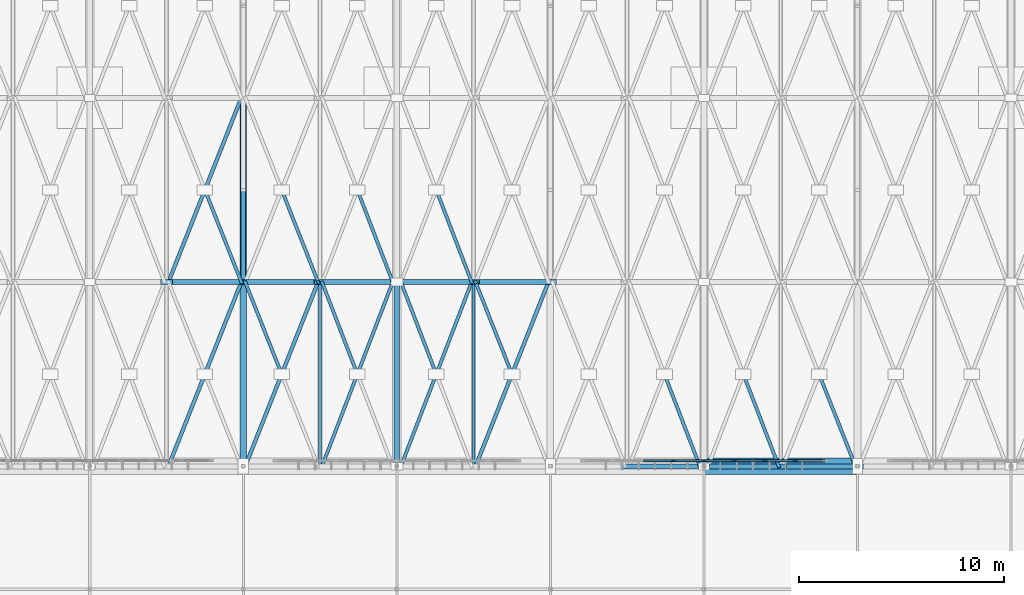
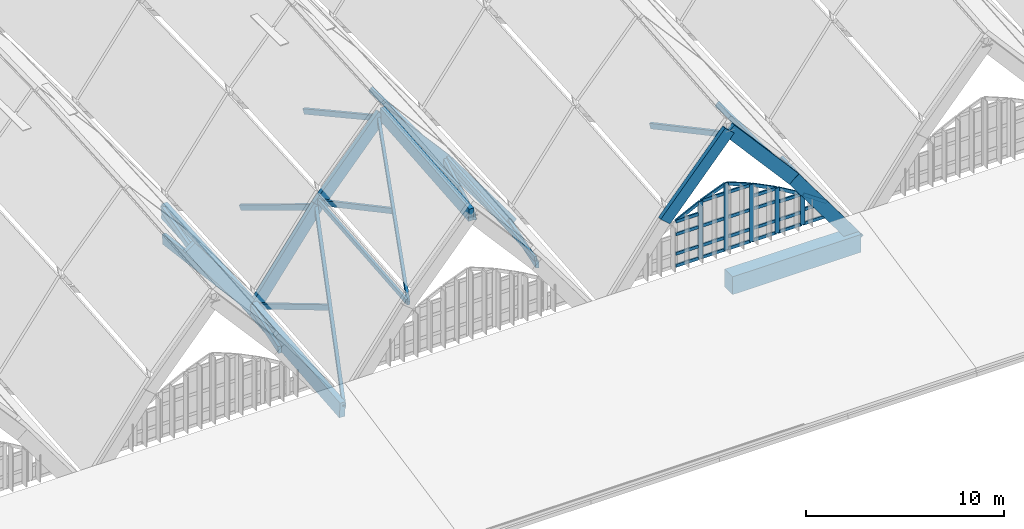
# One storey, part 32 of 93: 52 members, 12 beams, 1 element without a shape of its own.
"""IFC4 building model written with IfcOpenShell, lengths in metres."""

from ifc_helpers import new_model, si_unit, direction, frame, origin, origin_2d, place, context, subcontext, project, spatial, rectangle, extrude, material, material_profile, profile_set, type_object, element, aggregate, save


model = new_model("IFC4")

# Units and contexts
model_context = context("Model", 3, precision=1e-05, world=origin(), true_north=direction((0.0, 1.0)))
body_context = subcontext(model_context, "Body", "Model", "MODEL_VIEW")
ifc_project = project(units=[si_unit("LENGTHUNIT", "METRE"), si_unit("AREAUNIT", "SQUARE_METRE"), si_unit("VOLUMEUNIT", "CUBIC_METRE"), si_unit("PLANEANGLEUNIT", "RADIAN"), si_unit("MASSUNIT", "GRAM", prefix="KILO")], contexts=[model_context])

# Site, building, storey
site_placement = place(None, origin())
site = spatial("IfcSite", under=ifc_project, at=site_placement, CompositionType="ELEMENT")
building_placement = place(site_placement, origin())
building = spatial("IfcBuilding", under=site, at=building_placement, Name="Vourika Railside Aquatics Centre", CompositionType="ELEMENT")
storey_placement = place(building_placement, frame((0.0, 0.0, 21.89990234375)))
storey = spatial("IfcBuildingStorey", under=building, at=storey_placement, Name="Roof", CompositionType="ELEMENT", Elevation=21.89990234375)

# Beams
ifc_material_1 = material(Name="Glulam GL32h", Category="wood")
ifc_material_profile_1 = material_profile(ifc_material_1, rectangle(XDim=0.239990234375, YDim=0.719970703125, at=origin_2d()), Name="GL32h 240x720")
ifc_profile_set_1 = profile_set([ifc_material_profile_1], Name="Glulam GL32h")
beam_type_1 = type_object("IfcBeamType", Name="BM-GL-ARCH-240x720", PredefinedType="BEAM", material=ifc_profile_set_1)
for number, where, z_axis, x_axis, name in (
    (1, (62.25, 21.0, -5.7998046875), (0.592383087934, 0.0, -0.805656426233), (0.0, 1.0, 0.0), "Pointed Glulam Vault Arch Rib GAR-0042"),
    (2, (66.0, 21.0, -10.89990234375), (0.592383087934, 0.0, 0.805656426233), (0.0, 1.0, 0.0), "Pointed Glulam Vault Arch Rib GAR-0073"),
):
    element("IfcBeam", number, at=place(storey_placement, frame(where, z_axis=z_axis, x_axis=x_axis)), inside=storey, type_object=beam_type_1, Name=name, PredefinedType="BEAM", context=body_context, shape_type="SweptSolid", body=[
        extrude(rectangle(XDim=0.239990234375, YDim=0.719970703125, at=origin_2d()), origin(), (0.0, 0.0, 1.0), 6.330322265625),
    ])
for number, where, z_axis, x_axis, name in (
    (3, (69.75, 21.0, -5.7998046875), (0.657279819973, 0.0, 0.753646626912), (0.0, 1.0, 0.0), "Pointed Glulam Vault Arch Rib GAR-0074"),
    (4, (73.5, 21.0, -1.5), (0.657279819973, 0.0, -0.753646626912), (0.0, 1.0, 0.0), "Pointed Glulam Vault Arch Rib GAR-0075"),
):
    element("IfcBeam", number, at=place(storey_placement, frame(where, z_axis=z_axis, x_axis=x_axis)), inside=storey, type_object=beam_type_1, Name=name, PredefinedType="BEAM", context=body_context, shape_type="SweptSolid", body=[
        extrude(rectangle(XDim=0.239990234375, YDim=0.719970703125, at=origin_2d()), origin(), (0.0, 0.0, 1.0), 5.705322265625),
    ])
beam_1_placement = place(storey_placement, frame((77.25, 21.0, -5.7998046875), z_axis=(0.592383087934, 0.0, -0.805656426233), x_axis=(0.0, 1.0, 0.0)))
element("IfcBeam", 5, at=beam_1_placement, inside=storey, type_object=beam_type_1, Name="Pointed Glulam Vault Arch Rib GAR-0076", PredefinedType="BEAM", context=body_context, shape_type="SweptSolid", body=[
    extrude(rectangle(XDim=0.239990234375, YDim=0.719970703125, at=origin_2d()), origin(), (0.0, 0.0, 1.0), 6.330322265625),
])
for number, where, z_axis, x_axis, name in (
    (6, (84.75, 12.0, -6.599853515625), (0.657258623263, 0.0, 0.75366511273), (0.0, 1.0, 0.0), "Pointed Glulam Vault Arch Rib GAR-0104"),
    (7, (88.5, 12.0, -2.2998046875), (0.657258623263, 0.0, -0.75366511273), (0.0, 1.0, 0.0), "Pointed Glulam Vault Arch Rib GAR-0105"),
):
    element("IfcBeam", number, at=place(storey_placement, frame(where, z_axis=z_axis, x_axis=x_axis)), inside=storey, type_object=beam_type_1, Name=name, PredefinedType="BEAM", context=body_context, shape_type="SweptSolid", body=[
        extrude(rectangle(XDim=0.239990234375, YDim=0.719970703125, at=origin_2d()), origin(), (0.0, 0.0, 1.0), 5.70556640625),
    ])
beam_2_placement = place(storey_placement, frame((92.25, 12.0, -6.599853515625), z_axis=(0.592383087934, 0.0, -0.805656426233), x_axis=(0.0, 1.0, 0.0)))
element("IfcBeam", 8, at=beam_2_placement, inside=storey, type_object=beam_type_1, Name="Pointed Glulam Vault Arch Rib GAR-0106", PredefinedType="BEAM", context=body_context, shape_type="SweptSolid", body=[
    extrude(rectangle(XDim=0.239990234375, YDim=0.719970703125, at=origin_2d()), origin(), (0.0, 0.0, 1.0), 6.330322265625),
])
ifc_material_profile_2 = material_profile(ifc_material_1, rectangle(XDim=0.280029296875, YDim=0.800048828125, at=origin_2d()), Name="GL32h 280x800")
ifc_profile_set_2 = profile_set([ifc_material_profile_2], Name="Glulam GL32h")
beam_type_2 = type_object("IfcBeamType", Name="BM-GL-RIDGE-280x800", PredefinedType="BEAM", material=ifc_profile_set_2)
beam_3_placement = place(storey_placement, frame((73.5, 12.0, -2.2998046875), z_axis=(0.0, 0.996074546839, 0.088518343518), x_axis=(-1.0, 0.0, 0.0)))
element("IfcBeam", 9, at=beam_3_placement, inside=storey, type_object=beam_type_2, Name="Vault Pointed Ridge Beam GRB-0097", PredefinedType="BEAM", context=body_context, shape_type="SweptSolid", body=[
    extrude(rectangle(XDim=0.280029296875, YDim=0.800048828125, at=origin_2d()), origin(), (0.0, 0.0, 1.0), 9.035400390625),
])
ifc_material_profile_3 = material_profile(ifc_material_1, rectangle(XDim=0.320068359375, YDim=0.9599609375, at=origin_2d()), Name="GL32h 320x960")
ifc_profile_set_3 = profile_set([ifc_material_profile_3], Name="Glulam GL32h")
beam_type_3 = type_object("IfcBeamType", Name="BM-GL-VAL-320x960", PredefinedType="BEAM", material=ifc_profile_set_3)
beam_4_placement = place(storey_placement, frame((66.0, 12.0, -11.699951171875), z_axis=(0.0, 0.996072164085, 0.088545151956), x_axis=(-1.0, 0.0, 0.0)))
element("IfcBeam", 10, at=beam_4_placement, inside=storey, type_object=beam_type_3, Name="Vault Valley Arch Rib VTR-013", PredefinedType="BEAM", context=body_context, shape_type="SweptSolid", body=[
    extrude(rectangle(XDim=0.320068359375, YDim=0.9599609375, at=origin_2d()), origin(), (0.0, 0.0, 1.0), 9.035400390625),
])
beam_5_placement = place(storey_placement, frame((66.0, 21.0, -10.89990234375), z_axis=(0.0, 0.997889191565, 0.064939674766), x_axis=(-1.0, 0.0, 0.0)))
element("IfcBeam", 11, at=beam_5_placement, inside=storey, type_object=beam_type_3, Name="Vault Valley Arch Rib VTR-014", PredefinedType="BEAM", context=body_context, shape_type="SweptSolid", body=[
    extrude(rectangle(XDim=0.320068359375, YDim=0.9599609375, at=origin_2d()), origin(), (0.0, 0.0, 1.0), 9.01904296875),
])
ifc_material_2 = material(Name="Concrete C40/50", Category="concrete")
ifc_material_profile_4 = material_profile(ifc_material_2, rectangle(XDim=0.800048828125, YDim=1.10009765625, at=origin_2d()), Name="RC 800x1100")
ifc_profile_set_4 = profile_set([ifc_material_profile_4], Name="Concrete C40/50")
beam_type_4 = type_object("IfcBeamType", Name="BM-RING-800x1100", PredefinedType="BEAM", material=ifc_profile_set_4)
beam_6_placement = place(storey_placement, frame((88.5, 12.0, -11.699951171875), z_axis=(1.0, 0.0, 0.0), x_axis=(0.0, 1.0, 0.0)))
element("IfcBeam", 12, at=beam_6_placement, inside=storey, type_object=beam_type_4, Name="Vault Springing Ring Beam S (88.5-96.0)", PredefinedType="BEAM", context=body_context, shape_type="SweptSolid", body=[
    extrude(rectangle(XDim=0.800048828125, YDim=1.10009765625, at=origin_2d()), origin(), (0.0, 0.0, 1.0), 7.5),
])

# Curtain wall, members
ifc_material_3 = material(Name="Anodized thermally broken aluminium", Category="aluminium")
curtain_wall_type = type_object("IfcCurtainWallType", Name="CW-VLTS2", PredefinedType="NOTDEFINED", material=ifc_material_3)
curtain_wall_placement = place(storey_placement, origin())
curtain_wall = element("IfcCurtainWall", 13, at=curtain_wall_placement, inside=storey, type_object=curtain_wall_type, Name="South Boulevard Pointed-Arch Clerestory Curtain Wall Bay 4", PredefinedType="NOTDEFINED")
ifc_material_4 = material(Name="Anodized aluminium mullion", Category="aluminium")
ifc_material_profile_5 = material_profile(ifc_material_4, rectangle(XDim=0.087890625, YDim=0.2451171875, at=origin_2d()), Name="ALU-M 88x245")
ifc_profile_set_5 = profile_set([ifc_material_profile_5], Name="Anodized aluminium mullion")
member_type_1 = type_object("IfcMemberType", Name="CWM-VLTS2", PredefinedType="MULLION", material=ifc_profile_set_5)
member_1_placement = place(storey_placement, frame((87.012451171875, 12.280029296875, -9.8798828125), z_axis=(0.0, 0.0, 1.0), x_axis=(0.0, 1.0, 0.0)))
member_1 = element("IfcMember", 14, at=member_1_placement, type_object=member_type_1, Name="CW04 arch mullion 4", PredefinedType="MULLION", context=body_context, shape_type="SweptSolid", body=[
    extrude(rectangle(XDim=0.087890625, YDim=0.2451171875, at=origin_2d()), origin(), (0.0, 0.0, 1.0), 3.531005859375),
])
member_2_placement = place(storey_placement, frame((88.5, 12.280029296875, -9.8798828125), z_axis=(0.0, 0.0, 1.0), x_axis=(0.0, 1.0, 0.0)))
member_2 = element("IfcMember", 15, at=member_2_placement, type_object=member_type_1, Name="CW04 arch mullion 5", PredefinedType="MULLION", context=body_context, shape_type="SweptSolid", body=[
    extrude(rectangle(XDim=0.087890625, YDim=0.2451171875, at=origin_2d()), origin(), (0.0, 0.0, 1.0), 4.1298828125),
])
member_3_placement = place(storey_placement, frame((89.987548828125, 12.280029296875, -9.8798828125), z_axis=(0.0, 0.0, 1.0), x_axis=(0.0, 1.0, 0.0)))
member_3 = element("IfcMember", 16, at=member_3_placement, type_object=member_type_1, Name="CW04 arch mullion 6", PredefinedType="MULLION", context=body_context, shape_type="SweptSolid", body=[
    extrude(rectangle(XDim=0.087890625, YDim=0.2451171875, at=origin_2d()), origin(), (0.0, 0.0, 1.0), 3.531005859375),
])
member_4_placement = place(storey_placement, frame((91.47509765625, 12.280029296875, -9.8798828125), z_axis=(0.0, 0.0, 1.0), x_axis=(0.0, 1.0, 0.0)))
member_4 = element("IfcMember", 17, at=member_4_placement, type_object=member_type_1, Name="CW04 arch mullion 7", PredefinedType="MULLION", context=body_context, shape_type="SweptSolid", body=[
    extrude(rectangle(XDim=0.087890625, YDim=0.2451171875, at=origin_2d()), origin(), (0.0, 0.0, 1.0), 2.7890625),
])
member_5_placement = place(storey_placement, frame((92.96240234375, 12.280029296875, -9.8798828125), z_axis=(0.0, 0.0, 1.0), x_axis=(0.0, 1.0, 0.0)))
member_5 = element("IfcMember", 18, at=member_5_placement, type_object=member_type_1, Name="CW04 arch mullion 8", PredefinedType="MULLION", context=body_context, shape_type="SweptSolid", body=[
    extrude(rectangle(XDim=0.087890625, YDim=0.2451171875, at=origin_2d()), origin(), (0.0, 0.0, 1.0), 1.906005859375),
])
ifc_material_5 = material(Name="Anodized aluminium transom", Category="aluminium")
ifc_material_profile_6 = material_profile(ifc_material_5, rectangle(XDim=0.087890625, YDim=0.19189453125, at=origin_2d()), Name="ALU-T 88x192")
ifc_profile_set_6 = profile_set([ifc_material_profile_6], Name="Anodized aluminium transom")
member_type_2 = type_object("IfcMemberType", Name="CWT-VLTS2", PredefinedType="USERDEFINED", material=ifc_profile_set_6)
member_6_placement = place(storey_placement, frame((85.569091796875, 12.280029296875, -9.8359375), z_axis=(1.0, 0.0, 0.0), x_axis=(0.0, 1.0, 0.0)))
member_6 = element("IfcMember", 19, at=member_6_placement, type_object=member_type_2, Name="CW04 transom 3.1", ObjectType="TRANSOM", PredefinedType="USERDEFINED", context=body_context, shape_type="SweptSolid", body=[
    extrude(rectangle(XDim=0.087890625, YDim=0.19189453125, at=origin_2d()), origin(), (0.0, 0.0, 1.0), 1.3994140625),
])
member_7_placement = place(storey_placement, frame((85.569091796875, 12.280029296875, -9.099853515625), z_axis=(1.0, 0.0, 0.0), x_axis=(0.0, 1.0, 0.0)))
member_7 = element("IfcMember", 20, at=member_7_placement, type_object=member_type_2, Name="CW04 transom 3.2", ObjectType="TRANSOM", PredefinedType="USERDEFINED", context=body_context, shape_type="SweptSolid", body=[
    extrude(rectangle(XDim=0.087890625, YDim=0.19189453125, at=origin_2d()), origin(), (0.0, 0.0, 1.0), 1.3994140625),
])
member_8_placement = place(storey_placement, frame((85.569091796875, 12.280029296875, -7.89990234375), z_axis=(1.0, 0.0, 0.0), x_axis=(0.0, 1.0, 0.0)))
member_8 = element("IfcMember", 21, at=member_8_placement, type_object=member_type_2, Name="CW04 transom 3.3", ObjectType="TRANSOM", PredefinedType="USERDEFINED", context=body_context, shape_type="SweptSolid", body=[
    extrude(rectangle(XDim=0.087890625, YDim=0.19189453125, at=origin_2d()), origin(), (0.0, 0.0, 1.0), 1.3994140625),
])
member_9_placement = place(storey_placement, frame((85.569091796875, 12.280029296875, -7.11083984375), z_axis=(1.0, 0.0, 0.0), x_axis=(0.0, 1.0, 0.0)))
member_9 = element("IfcMember", 22, at=member_9_placement, type_object=member_type_2, Name="CW04 transom 3.4", ObjectType="TRANSOM", PredefinedType="USERDEFINED", context=body_context, shape_type="SweptSolid", body=[
    extrude(rectangle(XDim=0.087890625, YDim=0.19189453125, at=origin_2d()), origin(), (0.0, 0.0, 1.0), 1.3994140625),
])
member_10_placement = place(storey_placement, frame((85.569091796875, 12.280029296875, -7.11083984375), z_axis=(0.894863891939, 0.0, 0.446339125446), x_axis=(0.0, 1.0, 0.0)))
member_10 = element("IfcMember", 23, at=member_10_placement, type_object=member_type_2, Name="CW04 arch chord transom 3", ObjectType="TRANSOM", PredefinedType="USERDEFINED", context=body_context, shape_type="SweptSolid", body=[
    extrude(rectangle(XDim=0.087890625, YDim=0.19189453125, at=origin_2d()), origin(), (0.0, 0.0, 1.0), 1.563720703125),
])
member_11_placement = place(storey_placement, frame((87.056396484375, 12.280029296875, -9.8359375), z_axis=(1.0, 0.0, 0.0), x_axis=(0.0, 1.0, 0.0)))
member_11 = element("IfcMember", 24, at=member_11_placement, type_object=member_type_2, Name="CW04 transom 4.1", ObjectType="TRANSOM", PredefinedType="USERDEFINED", context=body_context, shape_type="SweptSolid", body=[
    extrude(rectangle(XDim=0.087890625, YDim=0.19189453125, at=origin_2d()), origin(), (0.0, 0.0, 1.0), 1.399658203125),
])
member_12_placement = place(storey_placement, frame((87.056396484375, 12.280029296875, -9.099853515625), z_axis=(1.0, 0.0, 0.0), x_axis=(0.0, 1.0, 0.0)))
member_12 = element("IfcMember", 25, at=member_12_placement, type_object=member_type_2, Name="CW04 transom 4.2", ObjectType="TRANSOM", PredefinedType="USERDEFINED", context=body_context, shape_type="SweptSolid", body=[
    extrude(rectangle(XDim=0.087890625, YDim=0.19189453125, at=origin_2d()), origin(), (0.0, 0.0, 1.0), 1.399658203125),
])
member_13_placement = place(storey_placement, frame((87.056396484375, 12.280029296875, -7.89990234375), z_axis=(1.0, 0.0, 0.0), x_axis=(0.0, 1.0, 0.0)))
member_13 = element("IfcMember", 26, at=member_13_placement, type_object=member_type_2, Name="CW04 transom 4.3", ObjectType="TRANSOM", PredefinedType="USERDEFINED", context=body_context, shape_type="SweptSolid", body=[
    extrude(rectangle(XDim=0.087890625, YDim=0.19189453125, at=origin_2d()), origin(), (0.0, 0.0, 1.0), 1.399658203125),
])
member_14_placement = place(storey_placement, frame((87.056396484375, 12.280029296875, -6.372802734375), z_axis=(1.0, 0.0, 0.0), x_axis=(0.0, 1.0, 0.0)))
member_14 = element("IfcMember", 27, at=member_14_placement, type_object=member_type_2, Name="CW04 transom 4.4", ObjectType="TRANSOM", PredefinedType="USERDEFINED", context=body_context, shape_type="SweptSolid", body=[
    extrude(rectangle(XDim=0.087890625, YDim=0.19189453125, at=origin_2d()), origin(), (0.0, 0.0, 1.0), 1.399658203125),
])
member_15_placement = place(storey_placement, frame((87.056396484375, 12.280029296875, -6.372802734375), z_axis=(0.927760697817, 0.0, 0.373175679254), x_axis=(0.0, 1.0, 0.0)))
member_15 = element("IfcMember", 28, at=member_15_placement, type_object=member_type_2, Name="CW04 arch chord transom 4", ObjectType="TRANSOM", PredefinedType="USERDEFINED", context=body_context, shape_type="SweptSolid", body=[
    extrude(rectangle(XDim=0.087890625, YDim=0.19189453125, at=origin_2d()), origin(), (0.0, 0.0, 1.0), 1.508544921875),
])
member_16_placement = place(storey_placement, frame((88.5439453125, 12.280029296875, -9.8359375), z_axis=(1.0, 0.0, 0.0), x_axis=(0.0, 1.0, 0.0)))
member_16 = element("IfcMember", 29, at=member_16_placement, type_object=member_type_2, Name="CW04 transom 5.1", ObjectType="TRANSOM", PredefinedType="USERDEFINED", context=body_context, shape_type="SweptSolid", body=[
    extrude(rectangle(XDim=0.087890625, YDim=0.19189453125, at=origin_2d()), origin(), (0.0, 0.0, 1.0), 1.399658203125),
])
member_17_placement = place(storey_placement, frame((88.5439453125, 12.280029296875, -9.099853515625), z_axis=(1.0, 0.0, 0.0), x_axis=(0.0, 1.0, 0.0)))
member_17 = element("IfcMember", 30, at=member_17_placement, type_object=member_type_2, Name="CW04 transom 5.2", ObjectType="TRANSOM", PredefinedType="USERDEFINED", context=body_context, shape_type="SweptSolid", body=[
    extrude(rectangle(XDim=0.087890625, YDim=0.19189453125, at=origin_2d()), origin(), (0.0, 0.0, 1.0), 1.399658203125),
])
member_18_placement = place(storey_placement, frame((88.5439453125, 12.280029296875, -7.89990234375), z_axis=(1.0, 0.0, 0.0), x_axis=(0.0, 1.0, 0.0)))
member_18 = element("IfcMember", 31, at=member_18_placement, type_object=member_type_2, Name="CW04 transom 5.3", ObjectType="TRANSOM", PredefinedType="USERDEFINED", context=body_context, shape_type="SweptSolid", body=[
    extrude(rectangle(XDim=0.087890625, YDim=0.19189453125, at=origin_2d()), origin(), (0.0, 0.0, 1.0), 1.399658203125),
])
member_19_placement = place(storey_placement, frame((88.5439453125, 12.280029296875, -6.372802734375), z_axis=(1.0, 0.0, 0.0), x_axis=(0.0, 1.0, 0.0)))
member_19 = element("IfcMember", 32, at=member_19_placement, type_object=member_type_2, Name="CW04 transom 5.4", ObjectType="TRANSOM", PredefinedType="USERDEFINED", context=body_context, shape_type="SweptSolid", body=[
    extrude(rectangle(XDim=0.087890625, YDim=0.19189453125, at=origin_2d()), origin(), (0.0, 0.0, 1.0), 1.399658203125),
])
member_20_placement = place(storey_placement, frame((88.5439453125, 12.280029296875, -5.809814453125), z_axis=(0.927760697817, 0.0, -0.373175679254), x_axis=(0.0, 1.0, 0.0)))
member_20 = element("IfcMember", 33, at=member_20_placement, type_object=member_type_2, Name="CW04 arch chord transom 5", ObjectType="TRANSOM", PredefinedType="USERDEFINED", context=body_context, shape_type="SweptSolid", body=[
    extrude(rectangle(XDim=0.087890625, YDim=0.19189453125, at=origin_2d()), origin(), (0.0, 0.0, 1.0), 1.508544921875),
])
member_21_placement = place(storey_placement, frame((90.031494140625, 12.280029296875, -9.8359375), z_axis=(1.0, 0.0, 0.0), x_axis=(0.0, 1.0, 0.0)))
member_21 = element("IfcMember", 34, at=member_21_placement, type_object=member_type_2, Name="CW04 transom 6.1", ObjectType="TRANSOM", PredefinedType="USERDEFINED", context=body_context, shape_type="SweptSolid", body=[
    extrude(rectangle(XDim=0.087890625, YDim=0.19189453125, at=origin_2d()), origin(), (0.0, 0.0, 1.0), 1.3994140625),
])
member_22_placement = place(storey_placement, frame((90.031494140625, 12.280029296875, -9.099853515625), z_axis=(1.0, 0.0, 0.0), x_axis=(0.0, 1.0, 0.0)))
member_22 = element("IfcMember", 35, at=member_22_placement, type_object=member_type_2, Name="CW04 transom 6.2", ObjectType="TRANSOM", PredefinedType="USERDEFINED", context=body_context, shape_type="SweptSolid", body=[
    extrude(rectangle(XDim=0.087890625, YDim=0.19189453125, at=origin_2d()), origin(), (0.0, 0.0, 1.0), 1.3994140625),
])
member_23_placement = place(storey_placement, frame((90.031494140625, 12.280029296875, -7.89990234375), z_axis=(1.0, 0.0, 0.0), x_axis=(0.0, 1.0, 0.0)))
member_23 = element("IfcMember", 36, at=member_23_placement, type_object=member_type_2, Name="CW04 transom 6.3", ObjectType="TRANSOM", PredefinedType="USERDEFINED", context=body_context, shape_type="SweptSolid", body=[
    extrude(rectangle(XDim=0.087890625, YDim=0.19189453125, at=origin_2d()), origin(), (0.0, 0.0, 1.0), 1.3994140625),
])
member_24_placement = place(storey_placement, frame((90.031494140625, 12.280029296875, -7.11083984375), z_axis=(1.0, 0.0, 0.0), x_axis=(0.0, 1.0, 0.0)))
member_24 = element("IfcMember", 37, at=member_24_placement, type_object=member_type_2, Name="CW04 transom 6.4", ObjectType="TRANSOM", PredefinedType="USERDEFINED", context=body_context, shape_type="SweptSolid", body=[
    extrude(rectangle(XDim=0.087890625, YDim=0.19189453125, at=origin_2d()), origin(), (0.0, 0.0, 1.0), 1.3994140625),
])
member_25_placement = place(storey_placement, frame((90.031494140625, 12.280029296875, -6.412841796875), z_axis=(0.894863891939, 0.0, -0.446339125446), x_axis=(0.0, 1.0, 0.0)))
member_25 = element("IfcMember", 38, at=member_25_placement, type_object=member_type_2, Name="CW04 arch chord transom 6", ObjectType="TRANSOM", PredefinedType="USERDEFINED", context=body_context, shape_type="SweptSolid", body=[
    extrude(rectangle(XDim=0.087890625, YDim=0.19189453125, at=origin_2d()), origin(), (0.0, 0.0, 1.0), 1.563720703125),
])
member_26_placement = place(storey_placement, frame((91.51904296875, 12.280029296875, -9.8359375), z_axis=(1.0, 0.0, 0.0), x_axis=(0.0, 1.0, 0.0)))
member_26 = element("IfcMember", 39, at=member_26_placement, type_object=member_type_2, Name="CW04 transom 7.1", ObjectType="TRANSOM", PredefinedType="USERDEFINED", context=body_context, shape_type="SweptSolid", body=[
    extrude(rectangle(XDim=0.087890625, YDim=0.19189453125, at=origin_2d()), origin(), (0.0, 0.0, 1.0), 1.3994140625),
])
member_27_placement = place(storey_placement, frame((91.51904296875, 12.280029296875, -9.099853515625), z_axis=(1.0, 0.0, 0.0), x_axis=(0.0, 1.0, 0.0)))
member_27 = element("IfcMember", 40, at=member_27_placement, type_object=member_type_2, Name="CW04 transom 7.2", ObjectType="TRANSOM", PredefinedType="USERDEFINED", context=body_context, shape_type="SweptSolid", body=[
    extrude(rectangle(XDim=0.087890625, YDim=0.19189453125, at=origin_2d()), origin(), (0.0, 0.0, 1.0), 1.3994140625),
])
member_28_placement = place(storey_placement, frame((91.51904296875, 12.280029296875, -7.989990234375), z_axis=(1.0, 0.0, 0.0), x_axis=(0.0, 1.0, 0.0)))
member_28 = element("IfcMember", 41, at=member_28_placement, type_object=member_type_2, Name="CW04 transom 7.3", ObjectType="TRANSOM", PredefinedType="USERDEFINED", context=body_context, shape_type="SweptSolid", body=[
    extrude(rectangle(XDim=0.087890625, YDim=0.19189453125, at=origin_2d()), origin(), (0.0, 0.0, 1.0), 1.3994140625),
])
member_29_placement = place(storey_placement, frame((91.51904296875, 12.280029296875, -7.158935546875), z_axis=(0.859813585162, 0.0, -0.510608067671), x_axis=(0.0, 1.0, 0.0)))
member_29 = element("IfcMember", 42, at=member_29_placement, type_object=member_type_2, Name="CW04 arch chord transom 7", ObjectType="TRANSOM", PredefinedType="USERDEFINED", context=body_context, shape_type="SweptSolid", body=[
    extrude(rectangle(XDim=0.087890625, YDim=0.19189453125, at=origin_2d()), origin(), (0.0, 0.0, 1.0), 1.627685546875),
])
member_30_placement = place(storey_placement, frame((93.006591796875, 12.280029296875, -9.8359375), z_axis=(1.0, 0.0, 0.0), x_axis=(0.0, 1.0, 0.0)))
member_30 = element("IfcMember", 43, at=member_30_placement, type_object=member_type_2, Name="CW04 transom 8.1", ObjectType="TRANSOM", PredefinedType="USERDEFINED", context=body_context, shape_type="SweptSolid", body=[
    extrude(rectangle(XDim=0.087890625, YDim=0.19189453125, at=origin_2d()), origin(), (0.0, 0.0, 1.0), 1.35546875),
])
member_31_placement = place(storey_placement, frame((93.006591796875, 12.280029296875, -8.97900390625), z_axis=(1.0, 0.0, 0.0), x_axis=(0.0, 1.0, 0.0)))
member_31 = element("IfcMember", 44, at=member_31_placement, type_object=member_type_2, Name="CW04 transom 8.2", ObjectType="TRANSOM", PredefinedType="USERDEFINED", context=body_context, shape_type="SweptSolid", body=[
    extrude(rectangle(XDim=0.087890625, YDim=0.19189453125, at=origin_2d()), origin(), (0.0, 0.0, 1.0), 1.35546875),
])
member_32_placement = place(storey_placement, frame((93.006591796875, 12.280029296875, -8.046875), z_axis=(0.823972633767, 0.0, -0.566629595771), x_axis=(0.0, 1.0, 0.0)))
member_32 = element("IfcMember", 45, at=member_32_placement, type_object=member_type_2, Name="CW04 arch chord transom 8", ObjectType="TRANSOM", PredefinedType="USERDEFINED", context=body_context, shape_type="SweptSolid", body=[
    extrude(rectangle(XDim=0.087890625, YDim=0.19189453125, at=origin_2d()), origin(), (0.0, 0.0, 1.0), 1.64501953125),
])
aggregate(curtain_wall, [member_1, member_2, member_3, member_4, member_5, member_6, member_7, member_8, member_9, member_10, member_11, member_12, member_13, member_14, member_15, member_16, member_17, member_18, member_19, member_20, member_21, member_22, member_23, member_24, member_25, member_26, member_27, member_28, member_29, member_30, member_31, member_32])

# Members
ifc_material_profile_7 = material_profile(ifc_material_1, rectangle(XDim=0.219970703125, YDim=0.60009765625, at=origin_2d()), Name="GL32h 220x600")
ifc_profile_set_7 = profile_set([ifc_material_profile_7], Name="Glulam GL32h")
member_type_3 = type_object("IfcMemberType", Name="MEM-GL-CHORD", PredefinedType="CHORD", material=ifc_profile_set_7)
member_33_placement = place(storey_placement, frame((66.0, 21.0, -10.89990234375), z_axis=(0.0, 0.991735627786, -0.128298264131), x_axis=(-1.0, 0.0, 0.0)))
element("IfcMember", 46, at=member_33_placement, inside=storey, type_object=member_type_3, Name="Valley Arch Truss Bottom Chord VBC-014", PredefinedType="CHORD", context=body_context, shape_type="SweptSolid", body=[
    extrude(rectangle(XDim=0.219970703125, YDim=0.60009765625, at=origin_2d()), origin(), (0.0, 0.0, 1.0), 9.074951171875),
])
ifc_material_6 = material(Name="Glulam GL28h", Category="wood")
ifc_material_profile_8 = material_profile(ifc_material_6, rectangle(XDim=0.179931640625, YDim=0.360107421875, at=origin_2d()), Name="GL28h 180x360")
ifc_profile_set_8 = profile_set([ifc_material_profile_8], Name="Glulam GL28h")
member_type_4 = type_object("IfcMemberType", Name="MEM-GL-LATH1", PredefinedType="BRACE", material=ifc_profile_set_8)
member_34_placement = place(storey_placement, frame((62.344970703125, 12.0, -6.72021484375), z_axis=(0.339219023139, 0.857562067548, -0.386675257346), x_axis=(-0.929892910811, 0.367830360933, 0.0)))
element("IfcMember", 47, at=member_34_placement, inside=storey, type_object=member_type_4, Name="Gridshell Continuous Diagonal Lath GLA-0059", PredefinedType="BRACE", context=body_context, shape_type="SweptSolid", body=[
    extrude(rectangle(XDim=0.179931640625, YDim=0.360107421875, at=origin_2d()), origin(), (0.0, 0.0, 1.0), 10.494873046875),
])
member_35_placement = place(storey_placement, frame((62.344970703125, 21.0, -5.92138671875), z_axis=(0.336558619113, 0.85083643773, -0.403491824121), x_axis=(-0.929892910811, 0.367830360933, 0.0)))
element("IfcMember", 48, at=member_35_placement, inside=storey, type_object=member_type_4, Name="Gridshell Continuous Diagonal Lath GLA-0069", PredefinedType="BRACE", context=body_context, shape_type="SweptSolid", body=[
    extrude(rectangle(XDim=0.179931640625, YDim=0.360107421875, at=origin_2d()), origin(), (0.0, 0.0, 1.0), 10.577880859375),
])
member_36_placement = place(storey_placement, frame((66.094970703125, 12.0, -11.56201171875), z_axis=(0.318017835503, 0.80396444164, 0.502499584956), x_axis=(-0.929892910811, 0.367830360933, 0.0)))
element("IfcMember", 49, at=member_36_placement, inside=storey, type_object=member_type_4, Name="Gridshell Continuous Diagonal Lath GLA-0113", PredefinedType="BRACE", context=body_context, shape_type="SweptSolid", body=[
    extrude(rectangle(XDim=0.179931640625, YDim=0.360107421875, at=origin_2d()), origin(), (0.0, 0.0, 1.0), 11.194580078125),
])
member_37_placement = place(storey_placement, frame((77.344970703125, 12.0, -6.72021484375), z_axis=(0.339219023139, 0.857562067548, -0.386675257346), x_axis=(-0.929892910811, 0.367830360933, 0.0)))
element("IfcMember", 50, at=member_37_placement, inside=storey, type_object=member_type_4, Name="Gridshell Continuous Diagonal Lath GLA-0119", PredefinedType="BRACE", context=body_context, shape_type="SweptSolid", body=[
    extrude(rectangle(XDim=0.179931640625, YDim=0.360107421875, at=origin_2d()), origin(), (0.0, 0.0, 1.0), 10.494873046875),
])
ifc_material_profile_9 = material_profile(ifc_material_6, rectangle(XDim=0.159912109375, YDim=0.320068359375, at=origin_2d()), Name="GL28h 160x320")
ifc_profile_set_9 = profile_set([ifc_material_profile_9], Name="Glulam GL28h")
member_type_5 = type_object("IfcMemberType", Name="MEM-GL-LATH2", PredefinedType="BRACE", material=ifc_profile_set_9)
member_38_placement = place(storey_placement, frame((65.905029296875, 21.0, -10.76318359375), z_axis=(-0.320997123983, 0.811496226753, 0.48829777837), x_axis=(-0.929892910811, -0.367830360933, 0.0)))
element("IfcMember", 51, at=member_38_placement, inside=storey, type_object=member_type_5, Name="Gridshell Split Counter Lath GLB1-0070", PredefinedType="BRACE", context=body_context, shape_type="SweptSolid", body=[
    extrude(rectangle(XDim=0.159912109375, YDim=0.320068359375, at=origin_2d()), origin(), (0.0, 0.0, 1.0), 5.54541015625),
])
member_39_placement = place(storey_placement, frame((67.875, 16.5, -8.74951171875), z_axis=(-0.339225125603, 0.857577494874, -0.386635686979), x_axis=(-0.929892910811, -0.367830360933, 0.0)))
element("IfcMember", 52, at=member_39_placement, inside=storey, type_object=member_type_5, Name="Gridshell Split Counter Lath GLB2-0114", PredefinedType="BRACE", context=body_context, shape_type="SweptSolid", body=[
    extrude(rectangle(XDim=0.159912109375, YDim=0.320068359375, at=origin_2d()), origin(), (0.0, 0.0, 1.0), 5.247314453125),
])
member_40_placement = place(storey_placement, frame((69.844970703125, 12.0, -6.482177734375), z_axis=(0.321550791273, 0.837595277664, 0.441632471028), x_axis=(-0.933569951957, 0.358395235463, 0.0)))
element("IfcMember", 53, at=member_40_placement, inside=storey, type_object=member_type_5, Name="Gridshell Continuous Diagonal Lath GLA-0115", PredefinedType="BRACE", context=body_context, shape_type="SweptSolid", body=[
    extrude(rectangle(XDim=0.159912109375, YDim=0.320068359375, at=origin_2d()), origin(), (0.0, 0.0, 1.0), 10.7451171875),
])
member_41_placement = place(storey_placement, frame((71.572509765625, 16.5, -4.109619140625), z_axis=(-0.340380210662, 0.886643307367, -0.313057435131), x_axis=(-0.933569951957, -0.358395235463, 0.0)))
element("IfcMember", 54, at=member_41_placement, inside=storey, type_object=member_type_5, Name="Gridshell Split Counter Lath GLB2-0116", PredefinedType="BRACE", context=body_context, shape_type="SweptSolid", body=[
    extrude(rectangle(XDim=0.159912109375, YDim=0.320068359375, at=origin_2d()), origin(), (0.0, 0.0, 1.0), 5.075439453125),
])
member_42_placement = place(storey_placement, frame((73.699951171875, 12.0, -2.5205078125), z_axis=(0.340377647674, 0.886636631138, -0.313079129436), x_axis=(-0.933569951957, 0.358395235463, 0.0)))
element("IfcMember", 55, at=member_42_placement, inside=storey, type_object=member_type_5, Name="Gridshell Continuous Diagonal Lath GLA-0117", PredefinedType="BRACE", context=body_context, shape_type="SweptSolid", body=[
    extrude(rectangle(XDim=0.159912109375, YDim=0.320068359375, at=origin_2d()), origin(), (0.0, 0.0, 1.0), 10.150634765625),
])
member_43_placement = place(storey_placement, frame((75.427490234375, 16.5, -4.109619140625), z_axis=(-0.32154756466, 0.837586872782, 0.441650760448), x_axis=(-0.933569951957, -0.358395235463, 0.0)))
element("IfcMember", 56, at=member_43_placement, inside=storey, type_object=member_type_5, Name="Gridshell Split Counter Lath GLB2-0118", PredefinedType="BRACE", context=body_context, shape_type="SweptSolid", body=[
    extrude(rectangle(XDim=0.159912109375, YDim=0.320068359375, at=origin_2d()), origin(), (0.0, 0.0, 1.0), 5.37255859375),
])
member_44_placement = place(storey_placement, frame((79.125, 16.5, -8.74951171875), z_axis=(-0.318014350334, 0.803955630964, 0.502515886737), x_axis=(-0.929892910811, -0.367830360933, 0.0)))
element("IfcMember", 57, at=member_44_placement, inside=storey, type_object=member_type_5, Name="Gridshell Split Counter Lath GLB2-0120", PredefinedType="BRACE", context=body_context, shape_type="SweptSolid", body=[
    extrude(rectangle(XDim=0.159912109375, YDim=0.320068359375, at=origin_2d()), origin(), (0.0, 0.0, 1.0), 5.597412109375),
])
member_45_placement = place(storey_placement, frame((69.655029296875, 21.0, -5.92138671875), z_axis=(-0.336558619113, 0.85083643773, -0.403491824121), x_axis=(-0.929892910811, -0.367830360933, 0.0)))
element("IfcMember", 58, at=member_45_placement, inside=storey, type_object=member_type_5, Name="Gridshell Split Counter Lath GLB1-0124", PredefinedType="BRACE", context=body_context, shape_type="SweptSolid", body=[
    extrude(rectangle(XDim=0.159912109375, YDim=0.320068359375, at=origin_2d()), origin(), (0.0, 0.0, 1.0), 5.288818359375),
])
member_46_placement = place(storey_placement, frame((73.300048828125, 21.0, -1.7216796875), z_axis=(-0.338120523205, 0.8807571345, -0.331574097021), x_axis=(-0.933569951957, -0.358395235463, 0.0)))
element("IfcMember", 59, at=member_46_placement, inside=storey, type_object=member_type_5, Name="Gridshell Split Counter Lath GLB1-0126", PredefinedType="BRACE", context=body_context, shape_type="SweptSolid", body=[
    extrude(rectangle(XDim=0.159912109375, YDim=0.320068359375, at=origin_2d()), origin(), (0.0, 0.0, 1.0), 5.109130859375),
])
member_47_placement = place(storey_placement, frame((77.155029296875, 21.0, -5.683349609375), z_axis=(-0.324302263056, 0.84476248059, 0.425681093735), x_axis=(-0.933569951957, -0.358395235463, 0.0)))
element("IfcMember", 60, at=member_47_placement, inside=storey, type_object=member_type_5, Name="Gridshell Split Counter Lath GLB1-0128", PredefinedType="BRACE", context=body_context, shape_type="SweptSolid", body=[
    extrude(rectangle(XDim=0.159912109375, YDim=0.320068359375, at=origin_2d()), origin(), (0.0, 0.0, 1.0), 5.326904296875),
])
member_48_placement = place(storey_placement, frame((88.300048828125, 12.0, -2.5205078125), z_axis=(-0.340375084547, 0.886629954547, -0.31310082325), x_axis=(-0.933569951957, -0.358395235463, 0.0)))
element("IfcMember", 61, at=member_48_placement, inside=storey, type_object=member_type_5, Name="Gridshell Split Counter Lath GLB1-0176", PredefinedType="BRACE", context=body_context, shape_type="SweptSolid", body=[
    extrude(rectangle(XDim=0.159912109375, YDim=0.320068359375, at=origin_2d()), origin(), (0.0, 0.0, 1.0), 5.075439453125),
])
member_49_placement = place(storey_placement, frame((92.155029296875, 12.0, -6.482177734375), z_axis=(-0.321554017818, 0.837603682367, 0.441614181057), x_axis=(-0.933569951957, -0.358395235463, 0.0)))
element("IfcMember", 62, at=member_49_placement, inside=storey, type_object=member_type_5, Name="Gridshell Split Counter Lath GLB1-0178", PredefinedType="BRACE", context=body_context, shape_type="SweptSolid", body=[
    extrude(rectangle(XDim=0.159912109375, YDim=0.320068359375, at=origin_2d()), origin(), (0.0, 0.0, 1.0), 5.37255859375),
])
member_50_placement = place(storey_placement, frame((95.905029296875, 12.0, -11.56201171875), z_axis=(-0.318021320636, 0.803973252223, 0.502483282639), x_axis=(-0.929892910811, -0.367830360933, 0.0)))
element("IfcMember", 63, at=member_50_placement, inside=storey, type_object=member_type_5, Name="Gridshell Split Counter Lath GLB1-0180", PredefinedType="BRACE", context=body_context, shape_type="SweptSolid", body=[
    extrude(rectangle(XDim=0.159912109375, YDim=0.320068359375, at=origin_2d()), origin(), (0.0, 0.0, 1.0), 5.59716796875),
])
ifc_material_profile_10 = material_profile(ifc_material_6, rectangle(XDim=0.139892578125, YDim=0.280029296875, at=origin_2d()), Name="GL28h 140x280")
ifc_profile_set_10 = profile_set([ifc_material_profile_10], Name="Glulam GL28h")
member_type_6 = type_object("IfcMemberType", Name="MEM-GL-PURLIN", PredefinedType="PURLIN", material=ifc_profile_set_10)
for number, where, z_axis, x_axis, name in (
    (64, (69.75, 12.0, -6.329833984375), (0.0, 0.996072164085, 0.088545151956), (-1.0, 0.0, 0.0), "Vault Timber Purlin GTP-0111"),
    (65, (77.25, 12.0, -6.329833984375), (0.0, 0.996072164085, 0.088545151956), (-1.0, 0.0, 0.0), "Vault Timber Purlin GTP-0112"),
):
    element("IfcMember", number, at=place(storey_placement, frame(where, z_axis=z_axis, x_axis=x_axis)), inside=storey, type_object=member_type_6, Name=name, PredefinedType="PURLIN", context=body_context, shape_type="SweptSolid", body=[
        extrude(rectangle(XDim=0.139892578125, YDim=0.280029296875, at=origin_2d()), origin(), (0.0, 0.0, 1.0), 9.035400390625),
    ])

save(model, "model.ifc")
